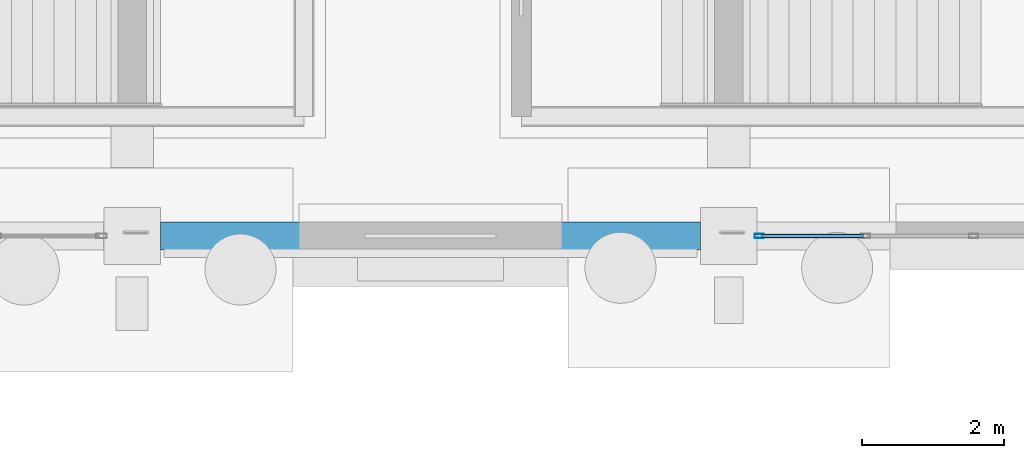
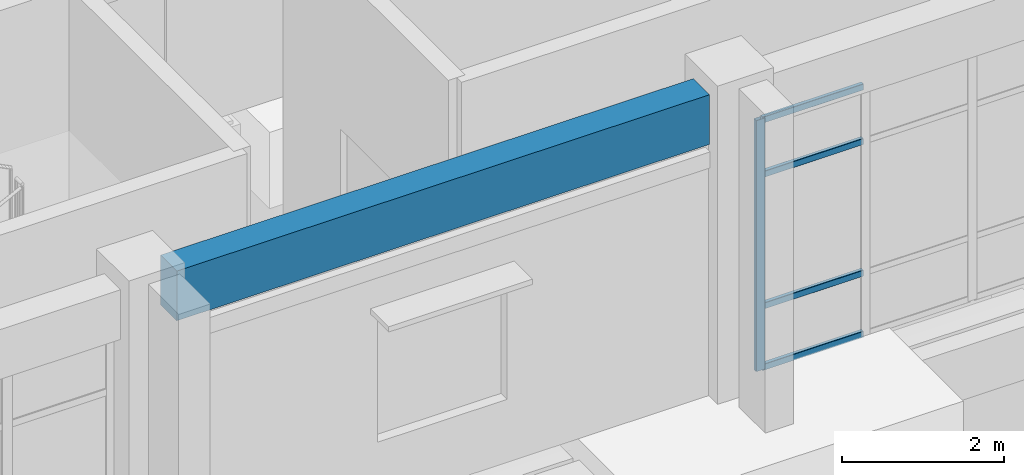
# One storey, part 26 of 111: 5 members, 1 beam, 1 element without a shape of its own.
"""IFC4 building model written with IfcOpenShell, lengths in metres."""

from ifc_helpers import new_model, si_unit, direction, frame, origin, origin_2d, place, context, subcontext, project, spatial, rectangle, hollow_rectangle, extrude, material, material_profile, profile_set, type_object, element, aggregate, save


model = new_model("IFC4")

# Units and contexts
model_context = context("Model", 3, precision=1e-05, world=origin(), true_north=direction((0.0, 1.0)))
body_context = subcontext(model_context, "Body", "Model", "MODEL_VIEW")
ifc_project = project(units=[si_unit("LENGTHUNIT", "METRE"), si_unit("AREAUNIT", "SQUARE_METRE"), si_unit("VOLUMEUNIT", "CUBIC_METRE"), si_unit("PLANEANGLEUNIT", "RADIAN"), si_unit("MASSUNIT", "GRAM", prefix="KILO")], contexts=[model_context])

# Site, building, storey
site_placement = place(None, origin())
site = spatial("IfcSite", under=ifc_project, at=site_placement, CompositionType="ELEMENT")
building_placement = place(site_placement, origin())
building = spatial("IfcBuilding", under=site, at=building_placement, Name="Canglan Escarpment Cableway Terminal", CompositionType="ELEMENT")
storey_placement = place(building_placement, frame((0.0, 0.0, 4.800048828125)))
storey = spatial("IfcBuildingStorey", under=building, at=storey_placement, Name="L01", CompositionType="ELEMENT", Elevation=4.800048828125)

# Curtain wall, members
ifc_material_1 = material(Name="Anodized bronze aluminium and Low-E double glazing", Category="aluminium")
curtain_wall_type = type_object("IfcCurtainWallType", Name="CW-BAY-7625x3775", PredefinedType="NOTDEFINED", material=ifc_material_1)
curtain_wall_placement = place(storey_placement, origin())
curtain_wall = element("IfcCurtainWall", 1, at=curtain_wall_placement, inside=storey, type_object=curtain_wall_type, Name="Classical bay-between-piers glazed curtain wall CW-10", PredefinedType="NOTDEFINED")
ifc_material_2 = material(Name="Thermally broken anodized aluminium 6063-T6", Category="aluminium")
ifc_material_profile_1 = material_profile(ifc_material_2, hollow_rectangle(XDim=0.06005859375, YDim=0.1298828125, WallThickness=0.0029296875, InnerFilletRadius=0.0029296875, OuterFilletRadius=0.006103515625, at=origin_2d()), Name="ALU-MULL 60x130x3")
ifc_profile_set_1 = profile_set([ifc_material_profile_1], Name="Thermally broken anodized aluminium 6063-T6")
member_type_1 = type_object("IfcMemberType", Name="CWM-01", PredefinedType="MULLION", material=ifc_profile_set_1)
member_1_placement = place(storey_placement, frame((102.6298828125, 8.0, 0.0), z_axis=(0.0, 0.0, 1.0), x_axis=(0.0, 1.0, 0.0)))
member_1 = element("IfcMember", 2, at=member_1_placement, type_object=member_type_1, Name="CW-10 mullion 1", PredefinedType="MULLION", context=body_context, shape_type="SweptSolid", body=[
    extrude(hollow_rectangle(XDim=0.06005859375, YDim=0.1298828125, WallThickness=0.0029296875, InnerFilletRadius=0.0029296875, OuterFilletRadius=0.006103515625, at=origin_2d()), origin(), (0.0, 0.0, 1.0), 3.784912109375),
])
ifc_material_profile_2 = material_profile(ifc_material_2, hollow_rectangle(XDim=0.054931640625, YDim=0.094970703125, WallThickness=0.0029296875, InnerFilletRadius=0.0029296875, OuterFilletRadius=0.006103515625, at=origin_2d()), Name="ALU-TRAN 55x95x3")
ifc_profile_set_2 = profile_set([ifc_material_profile_2], Name="Thermally broken anodized aluminium 6063-T6")
member_type_2 = type_object("IfcMemberType", Name="CWT-01", PredefinedType="USERDEFINED", material=ifc_profile_set_2)
member_2_placement = place(storey_placement, frame((102.659912109375, 8.0, 0.02734375), z_axis=(1.0, 0.0, 0.0), x_axis=(0.0, 1.0, 0.0)))
member_2 = element("IfcMember", 3, at=member_2_placement, type_object=member_type_2, Name="CW-10 transom 1.1", ObjectType="TRANSOM", PredefinedType="USERDEFINED", context=body_context, shape_type="SweptSolid", body=[
    extrude(hollow_rectangle(XDim=0.054931640625, YDim=0.094970703125, WallThickness=0.0029296875, InnerFilletRadius=0.0029296875, OuterFilletRadius=0.006103515625, at=origin_2d()), origin(), (0.0, 0.0, 1.0), 1.43505859375),
])
member_3_placement = place(storey_placement, frame((102.659912109375, 8.0, 0.949951171875), z_axis=(1.0, 0.0, 0.0), x_axis=(0.0, 1.0, 0.0)))
member_3 = element("IfcMember", 4, at=member_3_placement, type_object=member_type_2, Name="CW-10 transom 1.2", ObjectType="TRANSOM", PredefinedType="USERDEFINED", context=body_context, shape_type="SweptSolid", body=[
    extrude(hollow_rectangle(XDim=0.054931640625, YDim=0.094970703125, WallThickness=0.0029296875, InnerFilletRadius=0.0029296875, OuterFilletRadius=0.006103515625, at=origin_2d()), origin(), (0.0, 0.0, 1.0), 1.43505859375),
])
member_4_placement = place(storey_placement, frame((102.659912109375, 8.0, 2.93505859375), z_axis=(1.0, 0.0, 0.0), x_axis=(0.0, 1.0, 0.0)))
member_4 = element("IfcMember", 5, at=member_4_placement, type_object=member_type_2, Name="CW-10 transom 1.3", ObjectType="TRANSOM", PredefinedType="USERDEFINED", context=body_context, shape_type="SweptSolid", body=[
    extrude(hollow_rectangle(XDim=0.054931640625, YDim=0.094970703125, WallThickness=0.0029296875, InnerFilletRadius=0.0029296875, OuterFilletRadius=0.006103515625, at=origin_2d()), origin(), (0.0, 0.0, 1.0), 1.43505859375),
])
member_5_placement = place(storey_placement, frame((102.659912109375, 8.0, 3.757568359375), z_axis=(1.0, 0.0, 0.0), x_axis=(0.0, 1.0, 0.0)))
member_5 = element("IfcMember", 6, at=member_5_placement, type_object=member_type_2, Name="CW-10 transom 1.4", ObjectType="TRANSOM", PredefinedType="USERDEFINED", context=body_context, shape_type="SweptSolid", body=[
    extrude(hollow_rectangle(XDim=0.054931640625, YDim=0.094970703125, WallThickness=0.0029296875, InnerFilletRadius=0.0029296875, OuterFilletRadius=0.006103515625, at=origin_2d()), origin(), (0.0, 0.0, 1.0), 1.43505859375),
])
aggregate(curtain_wall, [member_1, member_2, member_3, member_4, member_5])

# Beam
ifc_material_3 = material(Name="Concrete C40", Category="concrete")
ifc_material_profile_3 = material_profile(ifc_material_3, rectangle(XDim=0.39990234375, YDim=0.75, at=origin_2d()), Name="RC 400x750")
ifc_profile_set_3 = profile_set([ifc_material_profile_3], Name="Concrete C40")
beam_type = type_object("IfcBeamType", Name="SP-RC400x750", PredefinedType="SPANDREL", material=ifc_profile_set_3)
beam_placement = place(storey_placement, frame((94.199951171875, 8.0, 4.175048828125), z_axis=(1.0, 0.0, 0.0), x_axis=(0.0, 1.0, 0.0)))
element("IfcBeam", 7, at=beam_placement, inside=storey, type_object=beam_type, Name="Primary structural girder SP-01", PredefinedType="SPANDREL", context=body_context, shape_type="SweptSolid", body=[
    extrude(rectangle(XDim=0.39990234375, YDim=0.75, at=origin_2d()), origin(), (0.0, 0.0, 1.0), 7.60009765625),
])

save(model, "model.ifc")
